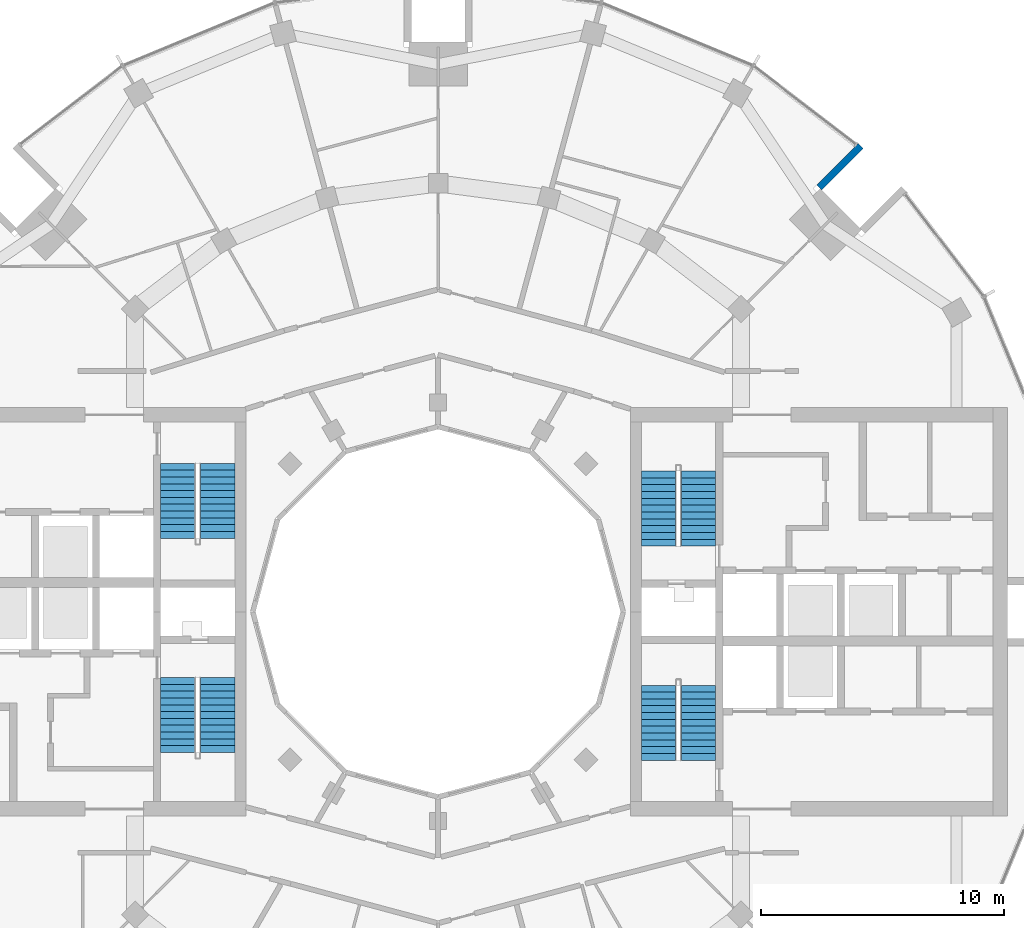
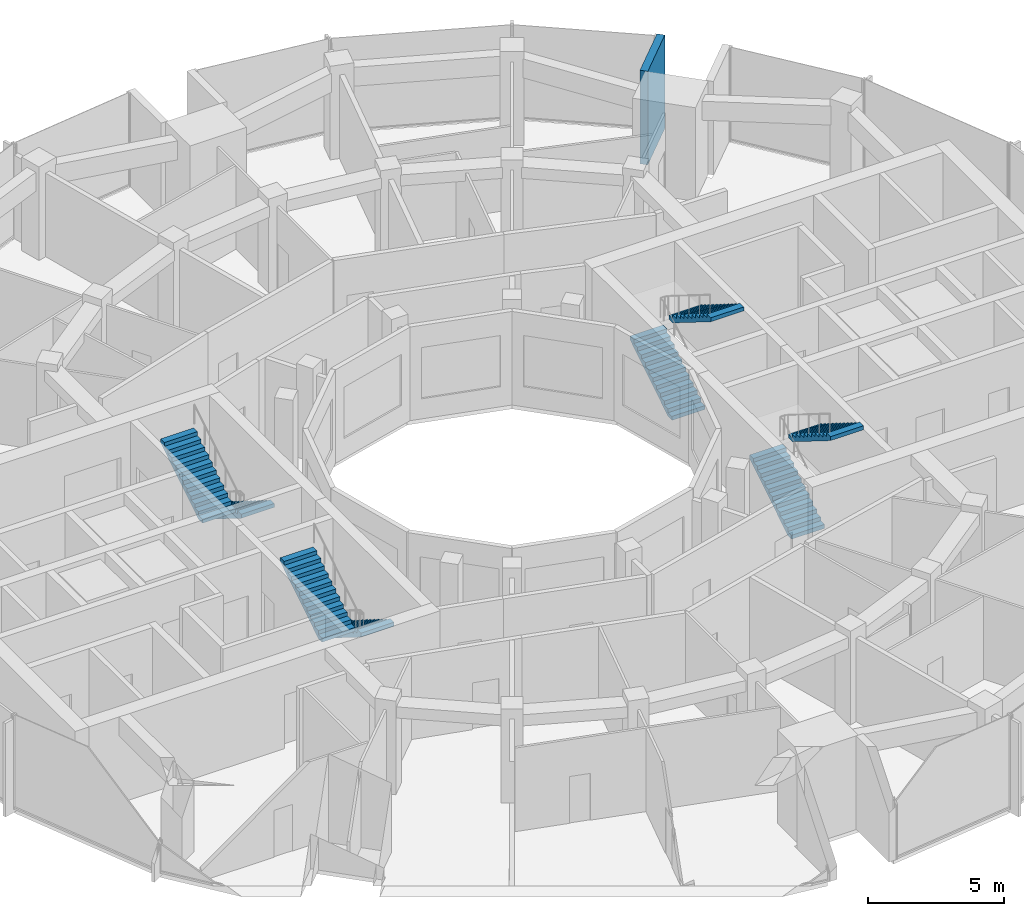
# One storey, part 13 of 15: 8 stair flights, 1 wall, 4 elements without a shape of their own.
"""IFC4 building model written with IfcOpenShell, lengths in metres."""

from ifc_helpers import new_model, si_unit, direction, frame, frame_2d, origin, place, context, subcontext, project, spatial, polyline, rectangle, outline, extrude, material, layer, layer_set, type_object, element, aggregate, save


model = new_model("IFC4")

# Units and contexts
model_context = context("Model", 3, precision=1e-05, world=origin(), true_north=direction((0.0, 1.0)))
body_context = subcontext(model_context, "Body", "Model", "MODEL_VIEW")
ifc_project = project(units=[si_unit("LENGTHUNIT", "METRE"), si_unit("AREAUNIT", "SQUARE_METRE"), si_unit("VOLUMEUNIT", "CUBIC_METRE"), si_unit("PLANEANGLEUNIT", "RADIAN"), si_unit("MASSUNIT", "GRAM", prefix="KILO")], contexts=[model_context])

# Site, building, storey
site_placement = place(None, origin())
site = spatial("IfcSite", under=ifc_project, at=site_placement, CompositionType="ELEMENT")
building_placement = place(site_placement, origin())
building = spatial("IfcBuilding", under=site, at=building_placement, Name="Torre Brocal", CompositionType="ELEMENT")
storey_placement = place(building_placement, frame((0.0, 0.0, 241.5)))
storey = spatial("IfcBuildingStorey", under=building, at=storey_placement, Name="L55", CompositionType="ELEMENT", Elevation=241.5)

# Wall
ifc_material_1 = material(Name="Concrete C60", Category="concrete")
ifc_layer_1 = layer(ifc_material_1, 0.300048828125)
ifc_layer_set_1 = layer_set([ifc_layer_1], Name="Concrete C60")
wall_type = type_object("IfcWallType", Name="NOTCH RETURN WALL 300 C60", PredefinedType="NOTDEFINED", material=ifc_layer_set_1)
wall_placement = place(storey_placement, frame((95.662353515625, 92.43017578125, 0.0), z_axis=(0.0, 0.0, 1.0), x_axis=(0.707106781187, 0.707106781187, 0.0)))
element("IfcWall", 1, at=wall_placement, inside=storey, type_object=wall_type, Name="NOTCH RETURN WALL", PredefinedType="NOTDEFINED", context=body_context, shape_type="SweptSolid", body=[
    extrude(rectangle(XDim=2.415771484375, YDim=0.300048828125, at=frame_2d((1.2080078125, 0.0))), origin(), (0.0, 0.0, 1.0), 4.199951171875),
])

# Stair, stair flights
ifc_material_2 = material(Name="Concrete C50", Category="concrete")
stair_type = type_object("IfcStairType", Name="EXIT STAIR", PredefinedType="HALF_TURN_STAIR", material=ifc_material_2)
stair_1_placement = place(storey_placement, origin())
stair_1 = element("IfcStair", 2, at=stair_1_placement, inside=storey, type_object=stair_type, Name="EXIT STAIR ST1", PredefinedType="HALF_TURN_STAIR")
ifc_material_3 = material(Name="Concrete C50", Category="concrete")
ifc_layer_2 = layer(ifc_material_3, 0.14990234375)
ifc_layer_set_2 = layer_set([ifc_layer_2], Name="Concrete C50")
stair_flight_type = type_object("IfcStairFlightType", Name="STAIR FLIGHT", PredefinedType="STRAIGHT", material=ifc_layer_set_2)
stair_flight_1_placement = place(storey_placement, frame((89.050048828125, 77.699951171875, 0.0), z_axis=(0.0, 0.0, 1.0), x_axis=(0.0, 1.0, 0.0)))
stair_flight_1 = element("IfcStairFlight", 3, at=stair_flight_1_placement, type_object=stair_flight_type, Name="ST1 flight 1", NumberOfRisers=12, NumberOfTreads=11, PredefinedType="STRAIGHT", RiserHeight=0.175, TreadLength=0.28, context=body_context, shape_type="SweptSolid", body=[
    extrude(outline(polyline([(0.0, 0.0), (0.0, 0.175048828125), (0.280029296875, 0.175048828125), (0.280029296875, 0.35009765625), (0.56005859375, 0.35009765625), (0.56005859375, 0.52490234375), (0.840087890625, 0.52490234375), (0.840087890625, 0.699951171875), (1.1201171875, 0.699951171875), (1.1201171875, 0.875), (1.39990234375, 0.875), (1.39990234375, 1.050048828125), (1.679931640625, 1.050048828125), (1.679931640625, 1.22509765625), (1.9599609375, 1.22509765625), (1.9599609375, 1.39990234375), (2.239990234375, 1.39990234375), (2.239990234375, 1.574951171875), (2.52001953125, 1.574951171875), (2.52001953125, 1.75), (2.800048828125, 1.75), (2.800048828125, 1.925048828125), (3.080078125, 1.925048828125), (3.080078125, 2.10009765625), (3.080078125, 1.748291015625), (0.28271484375, 0.0), (0.0, 0.0)])), frame((0.0, 0.699951171875, 0.0), z_axis=(0.0, -1.0, 0.0), x_axis=(1.0, 0.0, 0.0)), (0.0, 0.0, 1.0), 1.39990234375),
])
stair_flight_2_placement = place(storey_placement, frame((90.699951171875, 80.780029296875, 2.10009765625), z_axis=(0.0, 0.0, 1.0), x_axis=(0.0, -1.0, 0.0)))
stair_flight_2 = element("IfcStairFlight", 4, at=stair_flight_2_placement, type_object=stair_flight_type, Name="ST1 flight 2", NumberOfRisers=12, NumberOfTreads=11, PredefinedType="STRAIGHT", RiserHeight=0.175, TreadLength=0.28, context=body_context, shape_type="SweptSolid", body=[
    extrude(outline(polyline([(0.0, 0.0), (0.0, 0.175048828125), (0.280029296875, 0.175048828125), (0.280029296875, 0.35009765625), (0.56005859375, 0.35009765625), (0.56005859375, 0.52490234375), (0.840087890625, 0.52490234375), (0.840087890625, 0.699951171875), (1.1201171875, 0.699951171875), (1.1201171875, 0.875), (1.39990234375, 0.875), (1.39990234375, 1.050048828125), (1.679931640625, 1.050048828125), (1.679931640625, 1.22509765625), (1.9599609375, 1.22509765625), (1.9599609375, 1.39990234375), (2.239990234375, 1.39990234375), (2.239990234375, 1.574951171875), (2.52001953125, 1.574951171875), (2.52001953125, 1.75), (2.800048828125, 1.75), (2.800048828125, 1.925048828125), (3.080078125, 1.925048828125), (3.080078125, 2.10009765625), (3.080078125, 1.748291015625), (0.28271484375, 0.0), (0.0, 0.0)])), frame((0.0, 0.699951171875, 0.0), z_axis=(0.0, -1.0, 0.0), x_axis=(1.0, 0.0, 0.0)), (0.0, 0.0, 1.0), 1.39990234375),
])
aggregate(stair_1, [stair_flight_1, stair_flight_2])

stair_2_placement = place(storey_placement, origin())
stair_2 = element("IfcStair", 5, at=stair_2_placement, inside=storey, type_object=stair_type, Name="EXIT STAIR ST2", PredefinedType="HALF_TURN_STAIR")
stair_flight_3_placement = place(storey_placement, frame((89.050048828125, 68.89990234375, 0.0), z_axis=(0.0, 0.0, 1.0), x_axis=(0.0, 1.0, 0.0)))
stair_flight_3 = element("IfcStairFlight", 6, at=stair_flight_3_placement, type_object=stair_flight_type, Name="ST2 flight 1", NumberOfRisers=12, NumberOfTreads=11, PredefinedType="STRAIGHT", RiserHeight=0.175, TreadLength=0.28, context=body_context, shape_type="SweptSolid", body=[
    extrude(outline(polyline([(0.0, 0.0), (0.0, 0.175048828125), (0.280029296875, 0.175048828125), (0.280029296875, 0.35009765625), (0.56005859375, 0.35009765625), (0.56005859375, 0.52490234375), (0.840087890625, 0.52490234375), (0.840087890625, 0.699951171875), (1.1201171875, 0.699951171875), (1.1201171875, 0.875), (1.39990234375, 0.875), (1.39990234375, 1.050048828125), (1.679931640625, 1.050048828125), (1.679931640625, 1.22509765625), (1.9599609375, 1.22509765625), (1.9599609375, 1.39990234375), (2.239990234375, 1.39990234375), (2.239990234375, 1.574951171875), (2.52001953125, 1.574951171875), (2.52001953125, 1.75), (2.800048828125, 1.75), (2.800048828125, 1.925048828125), (3.080078125, 1.925048828125), (3.080078125, 2.10009765625), (3.080078125, 1.748291015625), (0.28271484375, 0.0), (0.0, 0.0)])), frame((0.0, 0.699951171875, 0.0), z_axis=(0.0, -1.0, 0.0), x_axis=(1.0, 0.0, 0.0)), (0.0, 0.0, 1.0), 1.39990234375),
])
stair_flight_4_placement = place(storey_placement, frame((90.699951171875, 71.97998046875, 2.10009765625), z_axis=(0.0, 0.0, 1.0), x_axis=(0.0, -1.0, 0.0)))
stair_flight_4 = element("IfcStairFlight", 7, at=stair_flight_4_placement, type_object=stair_flight_type, Name="ST2 flight 2", NumberOfRisers=12, NumberOfTreads=11, PredefinedType="STRAIGHT", RiserHeight=0.175, TreadLength=0.28, context=body_context, shape_type="SweptSolid", body=[
    extrude(outline(polyline([(0.0, 0.0), (0.0, 0.175048828125), (0.280029296875, 0.175048828125), (0.280029296875, 0.35009765625), (0.56005859375, 0.35009765625), (0.56005859375, 0.52490234375), (0.840087890625, 0.52490234375), (0.840087890625, 0.699951171875), (1.1201171875, 0.699951171875), (1.1201171875, 0.875), (1.39990234375, 0.875), (1.39990234375, 1.050048828125), (1.679931640625, 1.050048828125), (1.679931640625, 1.22509765625), (1.9599609375, 1.22509765625), (1.9599609375, 1.39990234375), (2.239990234375, 1.39990234375), (2.239990234375, 1.574951171875), (2.52001953125, 1.574951171875), (2.52001953125, 1.75), (2.800048828125, 1.75), (2.800048828125, 1.925048828125), (3.080078125, 1.925048828125), (3.080078125, 2.10009765625), (3.080078125, 1.748291015625), (0.28271484375, 0.0), (0.0, 0.0)])), frame((0.0, 0.699951171875, 0.0), z_axis=(0.0, -1.0, 0.0), x_axis=(1.0, 0.0, 0.0)), (0.0, 0.0, 1.0), 1.39990234375),
])
aggregate(stair_2, [stair_flight_3, stair_flight_4])

stair_3_placement = place(storey_placement, origin())
stair_3 = element("IfcStair", 8, at=stair_3_placement, inside=storey, type_object=stair_type, Name="EXIT STAIR ST3", PredefinedType="HALF_TURN_STAIR")
stair_flight_5_placement = place(storey_placement, frame((70.949951171875, 72.300048828125, 0.0), z_axis=(0.0, 0.0, 1.0), x_axis=(0.0, -1.0, 0.0)))
stair_flight_5 = element("IfcStairFlight", 9, at=stair_flight_5_placement, type_object=stair_flight_type, Name="ST3 flight 1", NumberOfRisers=12, NumberOfTreads=11, PredefinedType="STRAIGHT", RiserHeight=0.175, TreadLength=0.28, context=body_context, shape_type="SweptSolid", body=[
    extrude(outline(polyline([(0.0, 0.0), (0.0, 0.175048828125), (0.280029296875, 0.175048828125), (0.280029296875, 0.35009765625), (0.56005859375, 0.35009765625), (0.56005859375, 0.52490234375), (0.840087890625, 0.52490234375), (0.840087890625, 0.699951171875), (1.1201171875, 0.699951171875), (1.1201171875, 0.875), (1.39990234375, 0.875), (1.39990234375, 1.050048828125), (1.679931640625, 1.050048828125), (1.679931640625, 1.22509765625), (1.9599609375, 1.22509765625), (1.9599609375, 1.39990234375), (2.239990234375, 1.39990234375), (2.239990234375, 1.574951171875), (2.52001953125, 1.574951171875), (2.52001953125, 1.75), (2.800048828125, 1.75), (2.800048828125, 1.925048828125), (3.080078125, 1.925048828125), (3.080078125, 2.10009765625), (3.080078125, 1.748291015625), (0.28271484375, 0.0), (0.0, 0.0)])), frame((0.0, 0.699951171875, 0.0), z_axis=(0.0, -1.0, 0.0), x_axis=(1.0, 0.0, 0.0)), (0.0, 0.0, 1.0), 1.39990234375),
])
stair_flight_6_placement = place(storey_placement, frame((69.300048828125, 69.219970703125, 2.10009765625), z_axis=(0.0, 0.0, 1.0), x_axis=(0.0, 1.0, 0.0)))
stair_flight_6 = element("IfcStairFlight", 10, at=stair_flight_6_placement, type_object=stair_flight_type, Name="ST3 flight 2", NumberOfRisers=12, NumberOfTreads=11, PredefinedType="STRAIGHT", RiserHeight=0.175, TreadLength=0.28, context=body_context, shape_type="SweptSolid", body=[
    extrude(outline(polyline([(0.0, 0.0), (0.0, 0.175048828125), (0.280029296875, 0.175048828125), (0.280029296875, 0.35009765625), (0.56005859375, 0.35009765625), (0.56005859375, 0.52490234375), (0.840087890625, 0.52490234375), (0.840087890625, 0.699951171875), (1.1201171875, 0.699951171875), (1.1201171875, 0.875), (1.39990234375, 0.875), (1.39990234375, 1.050048828125), (1.679931640625, 1.050048828125), (1.679931640625, 1.22509765625), (1.9599609375, 1.22509765625), (1.9599609375, 1.39990234375), (2.239990234375, 1.39990234375), (2.239990234375, 1.574951171875), (2.52001953125, 1.574951171875), (2.52001953125, 1.75), (2.800048828125, 1.75), (2.800048828125, 1.925048828125), (3.080078125, 1.925048828125), (3.080078125, 2.10009765625), (3.080078125, 1.748291015625), (0.28271484375, 0.0), (0.0, 0.0)])), frame((0.0, 0.699951171875, 0.0), z_axis=(0.0, -1.0, 0.0), x_axis=(1.0, 0.0, 0.0)), (0.0, 0.0, 1.0), 1.39990234375),
])
aggregate(stair_3, [stair_flight_5, stair_flight_6])

stair_4_placement = place(storey_placement, origin())
stair_4 = element("IfcStair", 11, at=stair_4_placement, inside=storey, type_object=stair_type, Name="EXIT STAIR ST4", PredefinedType="HALF_TURN_STAIR")
stair_flight_7_placement = place(storey_placement, frame((70.949951171875, 81.10009765625, 0.0), z_axis=(0.0, 0.0, 1.0), x_axis=(0.0, -1.0, 0.0)))
stair_flight_7 = element("IfcStairFlight", 12, at=stair_flight_7_placement, type_object=stair_flight_type, Name="ST4 flight 1", NumberOfRisers=12, NumberOfTreads=11, PredefinedType="STRAIGHT", RiserHeight=0.175, TreadLength=0.28, context=body_context, shape_type="SweptSolid", body=[
    extrude(outline(polyline([(0.0, 0.0), (0.0, 0.175048828125), (0.280029296875, 0.175048828125), (0.280029296875, 0.35009765625), (0.56005859375, 0.35009765625), (0.56005859375, 0.52490234375), (0.840087890625, 0.52490234375), (0.840087890625, 0.699951171875), (1.1201171875, 0.699951171875), (1.1201171875, 0.875), (1.39990234375, 0.875), (1.39990234375, 1.050048828125), (1.679931640625, 1.050048828125), (1.679931640625, 1.22509765625), (1.9599609375, 1.22509765625), (1.9599609375, 1.39990234375), (2.239990234375, 1.39990234375), (2.239990234375, 1.574951171875), (2.52001953125, 1.574951171875), (2.52001953125, 1.75), (2.800048828125, 1.75), (2.800048828125, 1.925048828125), (3.080078125, 1.925048828125), (3.080078125, 2.10009765625), (3.080078125, 1.748291015625), (0.28271484375, 0.0), (0.0, 0.0)])), frame((0.0, 0.699951171875, 0.0), z_axis=(0.0, -1.0, 0.0), x_axis=(1.0, 0.0, 0.0)), (0.0, 0.0, 1.0), 1.39990234375),
])
stair_flight_8_placement = place(storey_placement, frame((69.300048828125, 78.02001953125, 2.10009765625), z_axis=(0.0, 0.0, 1.0), x_axis=(0.0, 1.0, 0.0)))
stair_flight_8 = element("IfcStairFlight", 13, at=stair_flight_8_placement, type_object=stair_flight_type, Name="ST4 flight 2", NumberOfRisers=12, NumberOfTreads=11, PredefinedType="STRAIGHT", RiserHeight=0.175, TreadLength=0.28, context=body_context, shape_type="SweptSolid", body=[
    extrude(outline(polyline([(0.0, 0.0), (0.0, 0.175048828125), (0.280029296875, 0.175048828125), (0.280029296875, 0.35009765625), (0.56005859375, 0.35009765625), (0.56005859375, 0.52490234375), (0.840087890625, 0.52490234375), (0.840087890625, 0.699951171875), (1.1201171875, 0.699951171875), (1.1201171875, 0.875), (1.39990234375, 0.875), (1.39990234375, 1.050048828125), (1.679931640625, 1.050048828125), (1.679931640625, 1.22509765625), (1.9599609375, 1.22509765625), (1.9599609375, 1.39990234375), (2.239990234375, 1.39990234375), (2.239990234375, 1.574951171875), (2.52001953125, 1.574951171875), (2.52001953125, 1.75), (2.800048828125, 1.75), (2.800048828125, 1.925048828125), (3.080078125, 1.925048828125), (3.080078125, 2.10009765625), (3.080078125, 1.748291015625), (0.28271484375, 0.0), (0.0, 0.0)])), frame((0.0, 0.699951171875, 0.0), z_axis=(0.0, -1.0, 0.0), x_axis=(1.0, 0.0, 0.0)), (0.0, 0.0, 1.0), 1.39990234375),
])
aggregate(stair_4, [stair_flight_7, stair_flight_8])

save(model, "model.ifc")
